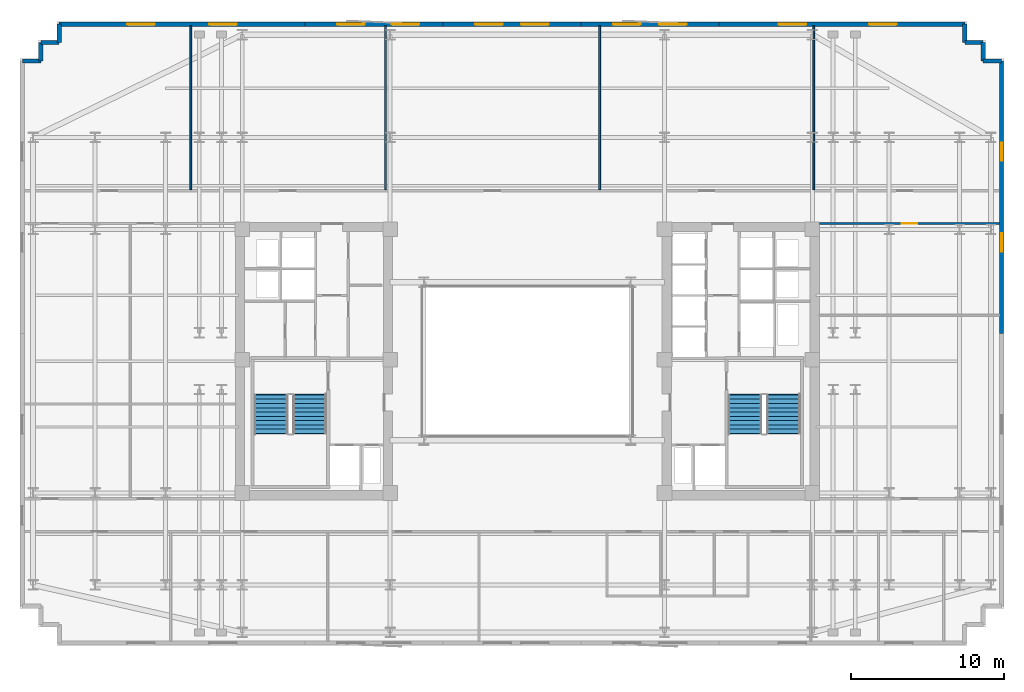
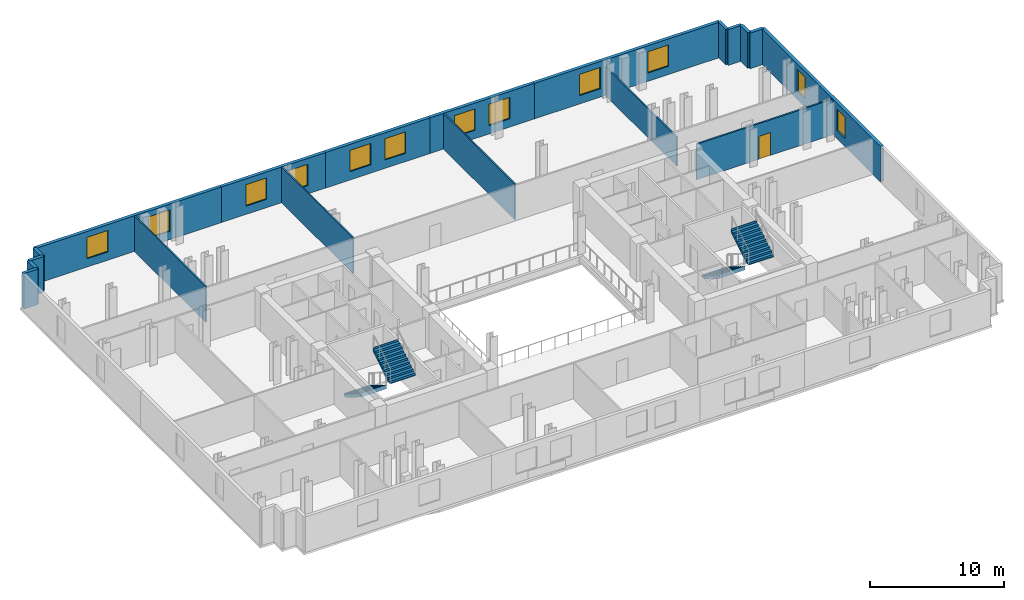
# One storey, part 7 of 9: 19 walls, 12 windows, 4 stair flights, 1 door, 13 openings, 2 elements without a shape of their own.
"""IFC4 building model written with IfcOpenShell, lengths in metres."""

from ifc_helpers import new_model, si_unit, direction, frame, frame_2d, origin, place, context, subcontext, project, spatial, polyline, rectangle, outline, extrude, material, layer, layer_set, type_object, element, fill, aggregate, save


model = new_model("IFC4")

# Units and contexts
model_context = context("Model", 3, precision=1e-05, world=origin(), true_north=direction((0.0, 1.0)))
body_context = subcontext(model_context, "Body", "Model", "MODEL_VIEW")
ifc_project = project(units=[si_unit("LENGTHUNIT", "METRE"), si_unit("AREAUNIT", "SQUARE_METRE"), si_unit("VOLUMEUNIT", "CUBIC_METRE"), si_unit("PLANEANGLEUNIT", "RADIAN"), si_unit("MASSUNIT", "GRAM", prefix="KILO")], contexts=[model_context])

# Site, building, storey
site_placement = place(None, origin())
site = spatial("IfcSite", under=ifc_project, at=site_placement, CompositionType="ELEMENT")
building_placement = place(site_placement, origin())
building = spatial("IfcBuilding", under=site, at=building_placement, Name="Velakula Bourse", CompositionType="ELEMENT")
storey_placement = place(building_placement, frame((0.0, 0.0, 131.199951171875)))
storey = spatial("IfcBuildingStorey", under=building, at=storey_placement, Name="L35", CompositionType="ELEMENT", Elevation=131.199951171875)

# Wall, openings, windows
ifc_material_1 = material(Name="Red kilned clay facing brick masonry", Category="masonry")
ifc_layer_1 = layer(ifc_material_1, 0.280029296875, Name="Red kilned clay facing brick masonry", Category="masonry")
ifc_layer_set_1 = layer_set([ifc_layer_1], Name="Red kilned clay facing brick masonry")
wall_type_1 = type_object("IfcWallType", Name="WL-EXT-BRK-280", PredefinedType="STANDARD", material=ifc_layer_set_1)
wall_1_placement = place(storey_placement, frame((-30.5400390625, 21.989990234375, 0.0), z_axis=(0.0, 0.0, 1.0), x_axis=(1.0, 0.0, 0.0)))
wall_1 = element("IfcWall", 1, at=wall_1_placement, inside=storey, type_object=wall_type_1, Name="L35 N Brick Spandrel Wall B1", PredefinedType="STANDARD", context=body_context, shape_type="SweptSolid", body=[
    extrude(rectangle(XDim=16.0400390625, YDim=0.280029296875, at=frame_2d((8.02001953125, 0.0))), origin(), (0.0, 0.0, 1.0), 3.25),
])
opening_1_placement = place(wall_1_placement, frame((4.44677734375, 0.0, 0.760009765625)))
opening_1 = element("IfcOpeningElement", 2, at=opening_1_placement, cuts=wall_1, Name="Opening W-01", PredefinedType="OPENING", context=body_context, shape_type="SweptSolid", body=[
    extrude(rectangle(XDim=1.800048828125, YDim=1.949951171875, at=frame_2d((0.89990234375, 0.97509765625))), frame((0.0, 0.14990234375, 0.0), z_axis=(0.0, -1.0, 0.0), x_axis=(1.0, 0.0, 0.0)), (0.0, 0.0, 1.0), 0.300048828125),
])
opening_2_placement = place(wall_1_placement, frame((9.793212890625, 0.0, 0.760009765625)))
opening_2 = element("IfcOpeningElement", 3, at=opening_2_placement, cuts=wall_1, Name="Opening W-01", PredefinedType="OPENING", context=body_context, shape_type="SweptSolid", body=[
    extrude(rectangle(XDim=1.800048828125, YDim=1.949951171875, at=frame_2d((0.89990234375, 0.97509765625))), frame((0.0, 0.14990234375, 0.0), z_axis=(0.0, -1.0, 0.0), x_axis=(1.0, 0.0, 0.0)), (0.0, 0.0, 1.0), 0.300048828125),
])
ifc_material_2 = material(Name="Double-glazed solar-control Low-E glass", Category="glass")
window_type_1 = type_object("IfcWindowType", Name="WIN-TWR-1800x2100", PartitioningType="SINGLE_PANEL", PredefinedType="WINDOW", material=ifc_material_2)
window_1_placement = place(opening_1_placement, origin())
window_1 = element("IfcWindow", 4, at=window_1_placement, inside=storey, type_object=window_type_1, Name="L35 Deep-Set Recessed Window 1", OverallHeight=1.949951171875, OverallWidth=1.800048828125, PartitioningType="SINGLE_PANEL", PredefinedType="WINDOW", context=body_context, shape_type="SweptSolid", body=[
    extrude(rectangle(XDim=1.800048828125, YDim=1.949951171875, at=frame_2d((0.89990234375, 0.97509765625))), frame((0.0, 0.030029296875, 0.0), z_axis=(0.0, -1.0, 0.0), x_axis=(1.0, 0.0, 0.0)), (0.0, 0.0, 1.0), 0.06005859375),
])
fill(opening_1, window_1)
window_2_placement = place(opening_2_placement, origin())
window_2 = element("IfcWindow", 5, at=window_2_placement, inside=storey, type_object=window_type_1, Name="L35 Deep-Set Recessed Window 2", OverallHeight=1.949951171875, OverallWidth=1.800048828125, PartitioningType="SINGLE_PANEL", PredefinedType="WINDOW", context=body_context, shape_type="SweptSolid", body=[
    extrude(rectangle(XDim=1.800048828125, YDim=1.949951171875, at=frame_2d((0.89990234375, 0.97509765625))), frame((0.0, 0.030029296875, 0.0), z_axis=(0.0, -1.0, 0.0), x_axis=(1.0, 0.0, 0.0)), (0.0, 0.0, 1.0), 0.06005859375),
])
fill(opening_2, window_2)

wall_2_placement = place(storey_placement, frame((-14.5, 21.989990234375, 0.0), z_axis=(0.0, 0.0, 1.0), x_axis=(1.0, 0.0, 0.0)))
wall_2 = element("IfcWall", 6, at=wall_2_placement, inside=storey, type_object=wall_type_1, Name="L35 N Brick Spandrel Wall B2", PredefinedType="STANDARD", context=body_context, shape_type="SweptSolid", body=[
    extrude(rectangle(XDim=9.0, YDim=0.280029296875, at=frame_2d((4.5, 0.0))), origin(), (0.0, 0.0, 1.0), 3.25),
])
opening_3_placement = place(wall_2_placement, frame((2.10009765625, 0.0, 0.760009765625)))
opening_3 = element("IfcOpeningElement", 7, at=opening_3_placement, cuts=wall_2, Name="Opening W-01", PredefinedType="OPENING", context=body_context, shape_type="SweptSolid", body=[
    extrude(rectangle(XDim=1.800048828125, YDim=1.949951171875, at=frame_2d((0.89990234375, 0.97509765625))), frame((0.0, 0.14990234375, 0.0), z_axis=(0.0, -1.0, 0.0), x_axis=(1.0, 0.0, 0.0)), (0.0, 0.0, 1.0), 0.300048828125),
])
opening_4_placement = place(wall_2_placement, frame((5.64990234375, 0.0, 0.760009765625)))
opening_4 = element("IfcOpeningElement", 8, at=opening_4_placement, cuts=wall_2, Name="Opening W-01", PredefinedType="OPENING", context=body_context, shape_type="SweptSolid", body=[
    extrude(rectangle(XDim=1.800048828125, YDim=1.949951171875, at=frame_2d((0.89990234375, 0.97509765625))), frame((0.0, 0.14990234375, 0.0), z_axis=(0.0, -1.0, 0.0), x_axis=(1.0, 0.0, 0.0)), (0.0, 0.0, 1.0), 0.300048828125),
])
window_3_placement = place(opening_3_placement, origin())
window_3 = element("IfcWindow", 9, at=window_3_placement, inside=storey, type_object=window_type_1, Name="L35 Deep-Set Recessed Window 1", OverallHeight=1.949951171875, OverallWidth=1.800048828125, PartitioningType="SINGLE_PANEL", PredefinedType="WINDOW", context=body_context, shape_type="SweptSolid", body=[
    extrude(rectangle(XDim=1.800048828125, YDim=1.949951171875, at=frame_2d((0.89990234375, 0.97509765625))), frame((0.0, 0.030029296875, 0.0), z_axis=(0.0, -1.0, 0.0), x_axis=(1.0, 0.0, 0.0)), (0.0, 0.0, 1.0), 0.06005859375),
])
fill(opening_3, window_3)
window_4_placement = place(opening_4_placement, origin())
window_4 = element("IfcWindow", 10, at=window_4_placement, inside=storey, type_object=window_type_1, Name="L35 Deep-Set Recessed Window 2", OverallHeight=1.949951171875, OverallWidth=1.800048828125, PartitioningType="SINGLE_PANEL", PredefinedType="WINDOW", context=body_context, shape_type="SweptSolid", body=[
    extrude(rectangle(XDim=1.800048828125, YDim=1.949951171875, at=frame_2d((0.89990234375, 0.97509765625))), frame((0.0, 0.030029296875, 0.0), z_axis=(0.0, -1.0, 0.0), x_axis=(1.0, 0.0, 0.0)), (0.0, 0.0, 1.0), 0.06005859375),
])
fill(opening_4, window_4)

wall_3_placement = place(storey_placement, frame((-5.5, 21.989990234375, 0.0), z_axis=(0.0, 0.0, 1.0), x_axis=(1.0, 0.0, 0.0)))
wall_3 = element("IfcWall", 11, at=wall_3_placement, inside=storey, type_object=wall_type_1, Name="L35 N Brick Spandrel Wall B3", PredefinedType="STANDARD", context=body_context, shape_type="SweptSolid", body=[
    extrude(rectangle(XDim=9.0, YDim=0.280029296875, at=frame_2d((4.5, 0.0))), origin(), (0.0, 0.0, 1.0), 3.25),
])
opening_5_placement = place(wall_3_placement, frame((2.10009765625, 0.0, 0.760009765625)))
opening_5 = element("IfcOpeningElement", 12, at=opening_5_placement, cuts=wall_3, Name="Opening W-01", PredefinedType="OPENING", context=body_context, shape_type="SweptSolid", body=[
    extrude(rectangle(XDim=1.800048828125, YDim=1.949951171875, at=frame_2d((0.89990234375, 0.97509765625))), frame((0.0, 0.14990234375, 0.0), z_axis=(0.0, -1.0, 0.0), x_axis=(1.0, 0.0, 0.0)), (0.0, 0.0, 1.0), 0.300048828125),
])
opening_6_placement = place(wall_3_placement, frame((5.10009765625, 0.0, 0.760009765625)))
opening_6 = element("IfcOpeningElement", 13, at=opening_6_placement, cuts=wall_3, Name="Opening W-01", PredefinedType="OPENING", context=body_context, shape_type="SweptSolid", body=[
    extrude(rectangle(XDim=1.800048828125, YDim=1.949951171875, at=frame_2d((0.89990234375, 0.97509765625))), frame((0.0, 0.14990234375, 0.0), z_axis=(0.0, -1.0, 0.0), x_axis=(1.0, 0.0, 0.0)), (0.0, 0.0, 1.0), 0.300048828125),
])
window_5_placement = place(opening_5_placement, origin())
window_5 = element("IfcWindow", 14, at=window_5_placement, inside=storey, type_object=window_type_1, Name="L35 Deep-Set Recessed Window 1", OverallHeight=1.949951171875, OverallWidth=1.800048828125, PartitioningType="SINGLE_PANEL", PredefinedType="WINDOW", context=body_context, shape_type="SweptSolid", body=[
    extrude(rectangle(XDim=1.800048828125, YDim=1.949951171875, at=frame_2d((0.89990234375, 0.97509765625))), frame((0.0, 0.030029296875, 0.0), z_axis=(0.0, -1.0, 0.0), x_axis=(1.0, 0.0, 0.0)), (0.0, 0.0, 1.0), 0.06005859375),
])
fill(opening_5, window_5)
window_6_placement = place(opening_6_placement, origin())
window_6 = element("IfcWindow", 15, at=window_6_placement, inside=storey, type_object=window_type_1, Name="L35 Deep-Set Recessed Window 2", OverallHeight=1.949951171875, OverallWidth=1.800048828125, PartitioningType="SINGLE_PANEL", PredefinedType="WINDOW", context=body_context, shape_type="SweptSolid", body=[
    extrude(rectangle(XDim=1.800048828125, YDim=1.949951171875, at=frame_2d((0.89990234375, 0.97509765625))), frame((0.0, 0.030029296875, 0.0), z_axis=(0.0, -1.0, 0.0), x_axis=(1.0, 0.0, 0.0)), (0.0, 0.0, 1.0), 0.06005859375),
])
fill(opening_6, window_6)

wall_4_placement = place(storey_placement, frame((3.5, 21.989990234375, 0.0), z_axis=(0.0, 0.0, 1.0), x_axis=(1.0, 0.0, 0.0)))
wall_4 = element("IfcWall", 16, at=wall_4_placement, inside=storey, type_object=wall_type_1, Name="L35 N Brick Spandrel Wall B4", PredefinedType="STANDARD", context=body_context, shape_type="SweptSolid", body=[
    extrude(rectangle(XDim=9.0, YDim=0.280029296875, at=frame_2d((4.5, 0.0))), origin(), (0.0, 0.0, 1.0), 3.25),
])
opening_7_placement = place(wall_4_placement, frame((2.10009765625, 0.0, 0.760009765625)))
opening_7 = element("IfcOpeningElement", 17, at=opening_7_placement, cuts=wall_4, Name="Opening W-01", PredefinedType="OPENING", context=body_context, shape_type="SweptSolid", body=[
    extrude(rectangle(XDim=1.800048828125, YDim=1.949951171875, at=frame_2d((0.89990234375, 0.97509765625))), frame((0.0, 0.14990234375, 0.0), z_axis=(0.0, -1.0, 0.0), x_axis=(1.0, 0.0, 0.0)), (0.0, 0.0, 1.0), 0.300048828125),
])
opening_8_placement = place(wall_4_placement, frame((5.10009765625, 0.0, 0.760009765625)))
opening_8 = element("IfcOpeningElement", 18, at=opening_8_placement, cuts=wall_4, Name="Opening W-01", PredefinedType="OPENING", context=body_context, shape_type="SweptSolid", body=[
    extrude(rectangle(XDim=1.800048828125, YDim=1.949951171875, at=frame_2d((0.89990234375, 0.97509765625))), frame((0.0, 0.14990234375, 0.0), z_axis=(0.0, -1.0, 0.0), x_axis=(1.0, 0.0, 0.0)), (0.0, 0.0, 1.0), 0.300048828125),
])
window_7_placement = place(opening_7_placement, origin())
window_7 = element("IfcWindow", 19, at=window_7_placement, inside=storey, type_object=window_type_1, Name="L35 Deep-Set Recessed Window 1", OverallHeight=1.949951171875, OverallWidth=1.800048828125, PartitioningType="SINGLE_PANEL", PredefinedType="WINDOW", context=body_context, shape_type="SweptSolid", body=[
    extrude(rectangle(XDim=1.800048828125, YDim=1.949951171875, at=frame_2d((0.89990234375, 0.97509765625))), frame((0.0, 0.030029296875, 0.0), z_axis=(0.0, -1.0, 0.0), x_axis=(1.0, 0.0, 0.0)), (0.0, 0.0, 1.0), 0.06005859375),
])
fill(opening_7, window_7)
window_8_placement = place(opening_8_placement, origin())
window_8 = element("IfcWindow", 20, at=window_8_placement, inside=storey, type_object=window_type_1, Name="L35 Deep-Set Recessed Window 2", OverallHeight=1.949951171875, OverallWidth=1.800048828125, PartitioningType="SINGLE_PANEL", PredefinedType="WINDOW", context=body_context, shape_type="SweptSolid", body=[
    extrude(rectangle(XDim=1.800048828125, YDim=1.949951171875, at=frame_2d((0.89990234375, 0.97509765625))), frame((0.0, 0.030029296875, 0.0), z_axis=(0.0, -1.0, 0.0), x_axis=(1.0, 0.0, 0.0)), (0.0, 0.0, 1.0), 0.06005859375),
])
fill(opening_8, window_8)

wall_5_placement = place(storey_placement, frame((12.5, 21.989990234375, 0.0), z_axis=(0.0, 0.0, 1.0), x_axis=(1.0, 0.0, 0.0)))
wall_5 = element("IfcWall", 21, at=wall_5_placement, inside=storey, type_object=wall_type_1, Name="L35 N Brick Spandrel Wall B5", PredefinedType="STANDARD", context=body_context, shape_type="SweptSolid", body=[
    extrude(rectangle(XDim=16.0400390625, YDim=0.280029296875, at=frame_2d((8.02001953125, 0.0))), origin(), (0.0, 0.0, 1.0), 3.25),
])
opening_9_placement = place(wall_5_placement, frame((3.896728515625, 0.0, 0.760009765625)))
opening_9 = element("IfcOpeningElement", 22, at=opening_9_placement, cuts=wall_5, Name="Opening W-01", PredefinedType="OPENING", context=body_context, shape_type="SweptSolid", body=[
    extrude(rectangle(XDim=1.800048828125, YDim=1.949951171875, at=frame_2d((0.89990234375, 0.97509765625))), frame((0.0, 0.14990234375, 0.0), z_axis=(0.0, -1.0, 0.0), x_axis=(1.0, 0.0, 0.0)), (0.0, 0.0, 1.0), 0.300048828125),
])
opening_10_placement = place(wall_5_placement, frame((9.793212890625, 0.0, 0.760009765625)))
opening_10 = element("IfcOpeningElement", 23, at=opening_10_placement, cuts=wall_5, Name="Opening W-01", PredefinedType="OPENING", context=body_context, shape_type="SweptSolid", body=[
    extrude(rectangle(XDim=1.800048828125, YDim=1.949951171875, at=frame_2d((0.89990234375, 0.97509765625))), frame((0.0, 0.14990234375, 0.0), z_axis=(0.0, -1.0, 0.0), x_axis=(1.0, 0.0, 0.0)), (0.0, 0.0, 1.0), 0.300048828125),
])
window_9_placement = place(opening_9_placement, origin())
window_9 = element("IfcWindow", 24, at=window_9_placement, inside=storey, type_object=window_type_1, Name="L35 Deep-Set Recessed Window 1", OverallHeight=1.949951171875, OverallWidth=1.800048828125, PartitioningType="SINGLE_PANEL", PredefinedType="WINDOW", context=body_context, shape_type="SweptSolid", body=[
    extrude(rectangle(XDim=1.800048828125, YDim=1.949951171875, at=frame_2d((0.89990234375, 0.97509765625))), frame((0.0, 0.030029296875, 0.0), z_axis=(0.0, -1.0, 0.0), x_axis=(1.0, 0.0, 0.0)), (0.0, 0.0, 1.0), 0.06005859375),
])
fill(opening_9, window_9)
window_10_placement = place(opening_10_placement, origin())
window_10 = element("IfcWindow", 25, at=window_10_placement, inside=storey, type_object=window_type_1, Name="L35 Deep-Set Recessed Window 2", OverallHeight=1.949951171875, OverallWidth=1.800048828125, PartitioningType="SINGLE_PANEL", PredefinedType="WINDOW", context=body_context, shape_type="SweptSolid", body=[
    extrude(rectangle(XDim=1.800048828125, YDim=1.949951171875, at=frame_2d((0.89990234375, 0.97509765625))), frame((0.0, 0.030029296875, 0.0), z_axis=(0.0, -1.0, 0.0), x_axis=(1.0, 0.0, 0.0)), (0.0, 0.0, 1.0), 0.06005859375),
])
fill(opening_10, window_10)

wall_6_placement = place(storey_placement, frame((30.93994140625, 19.590087890625, 0.0), z_axis=(0.0, 0.0, 1.0), x_axis=(0.0, -1.0, 0.0)))
wall_6 = element("IfcWall", 26, at=wall_6_placement, inside=storey, type_object=wall_type_1, Name="L35 E Brick End Wall W2", PredefinedType="STANDARD", context=body_context, shape_type="SweptSolid", body=[
    extrude(rectangle(XDim=17.7900390625, YDim=0.280029296875, at=frame_2d((8.89501953125, 0.0))), origin(), (0.0, 0.0, 1.0), 3.25),
])
opening_11_placement = place(wall_6_placement, frame((5.330078125, 0.0, 0.760009765625)))
opening_11 = element("IfcOpeningElement", 27, at=opening_11_placement, cuts=wall_6, Name="Opening W-04", PredefinedType="OPENING", context=body_context, shape_type="SweptSolid", body=[
    extrude(rectangle(XDim=1.199951171875, YDim=1.949951171875, at=frame_2d((0.60009765625, 0.97509765625))), frame((0.0, 0.14990234375, 0.0), z_axis=(0.0, -1.0, 0.0), x_axis=(1.0, 0.0, 0.0)), (0.0, 0.0, 1.0), 0.300048828125),
])
opening_12_placement = place(wall_6_placement, frame((11.260009765625, 0.0, 0.760009765625)))
opening_12 = element("IfcOpeningElement", 28, at=opening_12_placement, cuts=wall_6, Name="Opening W-04", PredefinedType="OPENING", context=body_context, shape_type="SweptSolid", body=[
    extrude(rectangle(XDim=1.199951171875, YDim=1.949951171875, at=frame_2d((0.60009765625, 0.97509765625))), frame((0.0, 0.14990234375, 0.0), z_axis=(0.0, -1.0, 0.0), x_axis=(1.0, 0.0, 0.0)), (0.0, 0.0, 1.0), 0.300048828125),
])
window_type_2 = type_object("IfcWindowType", Name="WIN-TWR-1200x2100", PartitioningType="SINGLE_PANEL", PredefinedType="WINDOW", material=ifc_material_2)
window_11_placement = place(opening_11_placement, origin())
window_11 = element("IfcWindow", 29, at=window_11_placement, inside=storey, type_object=window_type_2, Name="L35 Deep-Set Recessed Window 1", OverallHeight=1.949951171875, OverallWidth=1.199951171875, PartitioningType="SINGLE_PANEL", PredefinedType="WINDOW", context=body_context, shape_type="SweptSolid", body=[
    extrude(rectangle(XDim=1.199951171875, YDim=1.949951171875, at=frame_2d((0.60009765625, 0.97509765625))), frame((0.0, 0.030029296875, 0.0), z_axis=(0.0, -1.0, 0.0), x_axis=(1.0, 0.0, 0.0)), (0.0, 0.0, 1.0), 0.06005859375),
])
fill(opening_11, window_11)
window_12_placement = place(opening_12_placement, origin())
window_12 = element("IfcWindow", 30, at=window_12_placement, inside=storey, type_object=window_type_2, Name="L35 Deep-Set Recessed Window 2", OverallHeight=1.949951171875, OverallWidth=1.199951171875, PartitioningType="SINGLE_PANEL", PredefinedType="WINDOW", context=body_context, shape_type="SweptSolid", body=[
    extrude(rectangle(XDim=1.199951171875, YDim=1.949951171875, at=frame_2d((0.60009765625, 0.97509765625))), frame((0.0, 0.030029296875, 0.0), z_axis=(0.0, -1.0, 0.0), x_axis=(1.0, 0.0, 0.0)), (0.0, 0.0, 1.0), 0.06005859375),
])
fill(opening_12, window_12)

# Walls
for number, where, z_axis, x_axis, name in (
    (31, (30.93994140625, 19.590087890625, 0.0), (0.0, 0.0, 1.0), (-1.0, 0.0, 0.0), "L35 Serrated Corner Brick Wall NE-1"),
    (32, (29.739990234375, 19.590087890625, 0.0), (0.0, 0.0, 1.0), (0.0, 1.0, 0.0), "L35 Serrated Corner Brick Wall NE-2"),
    (33, (29.739990234375, 20.7900390625, 0.0), (0.0, 0.0, 1.0), (-1.0, 0.0, 0.0), "L35 Serrated Corner Brick Wall NE-3"),
    (34, (28.5400390625, 20.7900390625, 0.0), (0.0, 0.0, 1.0), (0.0, 1.0, 0.0), "L35 Serrated Corner Brick Wall NE-4"),
    (35, (-30.5400390625, 21.989990234375, 0.0), (0.0, 0.0, 1.0), (0.0, -1.0, 0.0), "L35 Serrated Corner Brick Wall NW-1"),
    (36, (-30.5400390625, 20.7900390625, 0.0), (0.0, 0.0, 1.0), (-1.0, 0.0, 0.0), "L35 Serrated Corner Brick Wall NW-2"),
    (37, (-31.739990234375, 20.7900390625, 0.0), (0.0, 0.0, 1.0), (0.0, -1.0, 0.0), "L35 Serrated Corner Brick Wall NW-3"),
    (38, (-31.739990234375, 19.590087890625, 0.0), (0.0, 0.0, 1.0), (-1.0, 0.0, 0.0), "L35 Serrated Corner Brick Wall NW-4"),
):
    element("IfcWall", number, at=place(storey_placement, frame(where, z_axis=z_axis, x_axis=x_axis)), inside=storey, type_object=wall_type_1, Name=name, PredefinedType="STANDARD", context=body_context, shape_type="SweptSolid", body=[
        extrude(rectangle(XDim=1.199951171875, YDim=0.280029296875, at=frame_2d((0.60009765625, 0.0))), origin(), (0.0, 0.0, 1.0), 3.25),
    ])
ifc_material_3 = material(Name="Fire-rated double-layer gypsum drywall partition", Category="gypsum")
ifc_layer_2 = layer(ifc_material_3, 0.1201171875, Name="Fire-rated double-layer gypsum drywall partition", Category="gypsum")
ifc_layer_set_2 = layer_set([ifc_layer_2], Name="Fire-rated double-layer gypsum drywall partition")
wall_type_2 = type_object("IfcWallType", Name="WL-PART-120", PredefinedType="STANDARD", material=ifc_layer_set_2)
for number, where, z_axis, x_axis, name in (
    (39, (-21.9619140625, 11.18994140625, 0.0), (0.0, 0.0, 1.0), (0.0, 1.0, 0.0), "L35 Interior Partition WL-INT-L35-N-D1"),
    (40, (-9.258056640625, 11.18994140625, 0.0), (0.0, 0.0, 1.0), (0.0, 1.0, 0.0), "L35 Interior Partition WL-INT-L35-N-D2"),
    (41, (4.717041015625, 11.18994140625, 0.0), (0.0, 0.0, 1.0), (0.0, 1.0, 0.0), "L35 Interior Partition WL-INT-L35-N-D3"),
):
    element("IfcWall", number, at=place(storey_placement, frame(where, z_axis=z_axis, x_axis=x_axis)), inside=storey, type_object=wall_type_2, Name=name, PredefinedType="STANDARD", context=body_context, shape_type="SweptSolid", body=[
        extrude(rectangle(XDim=10.68017578125, YDim=0.1201171875, at=frame_2d((5.340087890625, 0.0))), origin(), (0.0, 0.0, 1.0), 3.25),
    ])
wall_7_placement = place(storey_placement, frame((18.69091796875, 11.18994140625, 0.0), z_axis=(0.0, 0.0, 1.0), x_axis=(0.0, 1.0, 0.0)))
element("IfcWall", 42, at=wall_7_placement, inside=storey, type_object=wall_type_2, Name="L35 Interior Partition WL-INT-L35-N-D4", PredefinedType="STANDARD", context=body_context, shape_type="SweptSolid", body=[
    extrude(rectangle(XDim=10.68017578125, YDim=0.1201171875, at=frame_2d((5.340087890625, 0.0))), origin(), (0.0, 0.0, 1.0), 2.64501953125),
])

# Wall, opening, door
ifc_layer_3 = layer(ifc_material_3, 0.139892578125, Name="Fire-rated double-layer gypsum drywall partition", Category="gypsum")
ifc_layer_set_3 = layer_set([ifc_layer_3], Name="Fire-rated double-layer gypsum drywall partition")
wall_type_3 = type_object("IfcWallType", Name="WL-PART-140", PredefinedType="STANDARD", material=ifc_layer_set_3)
wall_8_placement = place(storey_placement, frame((19.050048828125, 8.97998046875, 0.0), z_axis=(0.0, 0.0, 1.0), x_axis=(1.0, 0.0, 0.0)))
wall_8 = element("IfcWall", 43, at=wall_8_placement, inside=storey, type_object=wall_type_3, Name="L35 Interior Partition WL-INT-L35-E-NC", PredefinedType="STANDARD", context=body_context, shape_type="SweptSolid", body=[
    extrude(rectangle(XDim=11.77001953125, YDim=0.139892578125, at=frame_2d((5.885009765625, 0.0))), origin(), (0.0, 0.0, 1.0), 3.25),
])
opening_13_placement = place(wall_8_placement, frame((5.385009765625, 0.0, 0.0)))
opening_13 = element("IfcOpeningElement", 44, at=opening_13_placement, cuts=wall_8, Name="Opening D-OF1", PredefinedType="OPENING", context=body_context, shape_type="SweptSolid", body=[
    extrude(rectangle(XDim=1.0, YDim=2.080078125, at=frame_2d((0.5, 1.0400390625))), frame((0.0, 0.079833984375, 0.0), z_axis=(0.0, -1.0, 0.0), x_axis=(1.0, 0.0, 0.0)), (0.0, 0.0, 1.0), 0.159912109375),
])
ifc_material_4 = material(Name="Fire-rated hardwood flush architectural door", Category="wood")
door_type = type_object("IfcDoorType", Name="DR-OFF-1000", OperationType="NOTDEFINED", PredefinedType="DOOR", material=ifc_material_4)
door_placement = place(opening_13_placement, origin())
door = element("IfcDoor", 45, at=door_placement, inside=storey, type_object=door_type, Name="L35 Issuer Relations Office Door", OperationType="SINGLE_SWING_LEFT", OverallHeight=2.080078125, OverallWidth=1.0, PredefinedType="DOOR", context=body_context, shape_type="SweptSolid", body=[
    extrude(rectangle(XDim=1.0, YDim=2.080078125, at=frame_2d((0.5, 1.0400390625))), frame((0.0, 0.02490234375, 0.0), z_axis=(0.0, -1.0, 0.0), x_axis=(1.0, 0.0, 0.0)), (0.0, 0.0, 1.0), 0.050048828125),
])
fill(opening_13, door)

# Stair, stair flights
ifc_material_5 = material(Name="Concrete M45 (fck 45 MPa)", Category="concrete")
stair_type = type_object("IfcStairType", Name="STR-DOG-390", PredefinedType="HALF_TURN_STAIR", material=ifc_material_5)
stair_1_placement = place(storey_placement, origin())
stair_1 = element("IfcStair", 46, at=stair_1_placement, inside=storey, type_object=stair_type, Name="L35 West Core Exit Stair ST-W1", PredefinedType="HALF_TURN_STAIR")
ifc_layer_4 = layer(ifc_material_5, 0.195068359375, Name="Concrete M45 (fck 45 MPa)", Category="concrete")
ifc_layer_set_4 = layer_set([ifc_layer_4], Name="Concrete M45 (fck 45 MPa)")
stair_flight_type = type_object("IfcStairFlightType", Name="FLT-DOG-390", PredefinedType="STRAIGHT", material=ifc_layer_set_4)
stair_flight_1_placement = place(storey_placement, frame((-16.720947265625, -2.199951171875, 0.0), z_axis=(0.0, 0.0, 1.0), x_axis=(0.0, -1.0, 0.0)))
stair_flight_1 = element("IfcStairFlight", 47, at=stair_flight_1_placement, type_object=stair_flight_type, Name="ST-W1 flight 1", NumberOfRisers=10, NumberOfTreads=9, PredefinedType="STRAIGHT", RiserHeight=0.1725, TreadLength=0.28, context=body_context, shape_type="SweptSolid", body=[
    extrude(outline(polyline([(-0.044921875, -0.0400390625), (-0.044921875, -0.036865234375), (-0.044921875, -0.033935546875), (-0.044921875, -0.03076171875), (-0.044921875, -0.027587890625), (-0.044921875, -0.024658203125), (-0.044921875, -0.021484375), (-0.044921875, -0.0185546875), (-0.044921875, -0.015380859375), (-0.044921875, -0.01220703125), (-0.044921875, -0.00927734375), (-0.044921875, -0.006103515625), (-0.044921875, -0.003173828125), (-0.044921875, 0.0), (0.0, 0.0), (0.0, 0.172607421875), (0.280029296875, 0.172607421875), (0.280029296875, 0.344970703125), (0.56005859375, 0.344970703125), (0.56005859375, 0.517578125), (0.840087890625, 0.517578125), (0.840087890625, 0.68994140625), (1.1201171875, 0.68994140625), (1.1201171875, 0.862548828125), (1.39990234375, 0.862548828125), (1.39990234375, 1.034912109375), (1.679931640625, 1.034912109375), (1.679931640625, 1.20751953125), (1.9599609375, 1.20751953125), (1.9599609375, 1.3798828125), (2.239990234375, 1.3798828125), (2.239990234375, 1.552490234375), (2.52001953125, 1.552490234375), (2.52001953125, 1.72509765625), (2.56494140625, 1.72509765625), (2.56494140625, 1.7001953125), (2.56494140625, 1.67529296875), (2.56494140625, 1.650390625), (2.56494140625, 1.62548828125), (2.56494140625, 1.6005859375), (2.56494140625, 1.57568359375), (2.56494140625, 1.55078125), (2.56494140625, 1.52587890625), (2.56494140625, 1.5009765625), (2.56494140625, 1.47607421875), (2.56494140625, 1.451171875), (2.56494140625, 1.42626953125), (2.56494140625, 1.4013671875), (2.56494140625, 1.37646484375), (0.285888671875, -0.0400390625), (-0.044921875, -0.0400390625)])), frame((0.0, 1.09912109375, 0.0), z_axis=(0.0, -1.0, 0.0), x_axis=(1.0, 0.0, 0.0)), (0.0, 0.0, 1.0), 2.197998046875),
])
stair_flight_2_placement = place(storey_placement, frame((-14.198974609375, -4.719970703125, 1.72509765625), z_axis=(0.0, 0.0, 1.0), x_axis=(0.0, 1.0, 0.0)))
stair_flight_2 = element("IfcStairFlight", 48, at=stair_flight_2_placement, type_object=stair_flight_type, Name="ST-W1 flight 2", NumberOfRisers=10, NumberOfTreads=9, PredefinedType="STRAIGHT", RiserHeight=0.1725, TreadLength=0.28, context=body_context, shape_type="SweptSolid", body=[
    extrude(outline(polyline([(-0.044921875, -0.0400390625), (-0.044921875, -0.036865234375), (-0.044921875, -0.033935546875), (-0.044921875, -0.03076171875), (-0.044921875, -0.027587890625), (-0.044921875, -0.024658203125), (-0.044921875, -0.021484375), (-0.044921875, -0.0185546875), (-0.044921875, -0.015380859375), (-0.044921875, -0.01220703125), (-0.044921875, -0.00927734375), (-0.044921875, -0.006103515625), (-0.044921875, -0.003173828125), (-0.044921875, 0.0), (0.0, 0.0), (0.0, 0.172607421875), (0.280029296875, 0.172607421875), (0.280029296875, 0.344970703125), (0.56005859375, 0.344970703125), (0.56005859375, 0.517578125), (0.840087890625, 0.517578125), (0.840087890625, 0.68994140625), (1.1201171875, 0.68994140625), (1.1201171875, 0.862548828125), (1.39990234375, 0.862548828125), (1.39990234375, 1.034912109375), (1.679931640625, 1.034912109375), (1.679931640625, 1.20751953125), (1.9599609375, 1.20751953125), (1.9599609375, 1.3798828125), (2.239990234375, 1.3798828125), (2.239990234375, 1.552490234375), (2.52001953125, 1.552490234375), (2.52001953125, 1.72509765625), (2.56494140625, 1.72509765625), (2.56494140625, 1.7001953125), (2.56494140625, 1.67529296875), (2.56494140625, 1.650390625), (2.56494140625, 1.62548828125), (2.56494140625, 1.6005859375), (2.56494140625, 1.57568359375), (2.56494140625, 1.55078125), (2.56494140625, 1.52587890625), (2.56494140625, 1.5009765625), (2.56494140625, 1.47607421875), (2.56494140625, 1.451171875), (2.56494140625, 1.42626953125), (2.56494140625, 1.4013671875), (2.56494140625, 1.37646484375), (0.285888671875, -0.0400390625), (-0.044921875, -0.0400390625)])), frame((0.0, 1.09912109375, 0.0), z_axis=(0.0, -1.0, 0.0), x_axis=(1.0, 0.0, 0.0)), (0.0, 0.0, 1.0), 2.197998046875),
])
aggregate(stair_1, [stair_flight_1, stair_flight_2])

stair_2_placement = place(storey_placement, origin())
stair_2 = element("IfcStair", 49, at=stair_2_placement, inside=storey, type_object=stair_type, Name="L35 East Core Exit Stair ST-E1", PredefinedType="HALF_TURN_STAIR")
stair_flight_3_placement = place(storey_placement, frame((14.198974609375, -2.199951171875, 0.0), z_axis=(0.0, 0.0, 1.0), x_axis=(0.0, -1.0, 0.0)))
stair_flight_3 = element("IfcStairFlight", 50, at=stair_flight_3_placement, type_object=stair_flight_type, Name="ST-E1 flight 1", NumberOfRisers=10, NumberOfTreads=9, PredefinedType="STRAIGHT", RiserHeight=0.1725, TreadLength=0.28, context=body_context, shape_type="SweptSolid", body=[
    extrude(outline(polyline([(-0.044921875, -0.0400390625), (-0.044921875, -0.036865234375), (-0.044921875, -0.033935546875), (-0.044921875, -0.03076171875), (-0.044921875, -0.027587890625), (-0.044921875, -0.024658203125), (-0.044921875, -0.021484375), (-0.044921875, -0.0185546875), (-0.044921875, -0.015380859375), (-0.044921875, -0.01220703125), (-0.044921875, -0.00927734375), (-0.044921875, -0.006103515625), (-0.044921875, -0.003173828125), (-0.044921875, 0.0), (0.0, 0.0), (0.0, 0.172607421875), (0.280029296875, 0.172607421875), (0.280029296875, 0.344970703125), (0.56005859375, 0.344970703125), (0.56005859375, 0.517578125), (0.840087890625, 0.517578125), (0.840087890625, 0.68994140625), (1.1201171875, 0.68994140625), (1.1201171875, 0.862548828125), (1.39990234375, 0.862548828125), (1.39990234375, 1.034912109375), (1.679931640625, 1.034912109375), (1.679931640625, 1.20751953125), (1.9599609375, 1.20751953125), (1.9599609375, 1.3798828125), (2.239990234375, 1.3798828125), (2.239990234375, 1.552490234375), (2.52001953125, 1.552490234375), (2.52001953125, 1.72509765625), (2.56494140625, 1.72509765625), (2.56494140625, 1.7001953125), (2.56494140625, 1.67529296875), (2.56494140625, 1.650390625), (2.56494140625, 1.62548828125), (2.56494140625, 1.6005859375), (2.56494140625, 1.57568359375), (2.56494140625, 1.55078125), (2.56494140625, 1.52587890625), (2.56494140625, 1.5009765625), (2.56494140625, 1.47607421875), (2.56494140625, 1.451171875), (2.56494140625, 1.42626953125), (2.56494140625, 1.4013671875), (2.56494140625, 1.37646484375), (0.285888671875, -0.0400390625), (-0.044921875, -0.0400390625)])), frame((0.0, 1.09912109375, 0.0), z_axis=(0.0, -1.0, 0.0), x_axis=(1.0, 0.0, 0.0)), (0.0, 0.0, 1.0), 2.197998046875),
])
stair_flight_4_placement = place(storey_placement, frame((16.720947265625, -4.719970703125, 1.72509765625), z_axis=(0.0, 0.0, 1.0), x_axis=(0.0, 1.0, 0.0)))
stair_flight_4 = element("IfcStairFlight", 51, at=stair_flight_4_placement, type_object=stair_flight_type, Name="ST-E1 flight 2", NumberOfRisers=10, NumberOfTreads=9, PredefinedType="STRAIGHT", RiserHeight=0.1725, TreadLength=0.28, context=body_context, shape_type="SweptSolid", body=[
    extrude(outline(polyline([(-0.044921875, -0.0400390625), (-0.044921875, -0.036865234375), (-0.044921875, -0.033935546875), (-0.044921875, -0.03076171875), (-0.044921875, -0.027587890625), (-0.044921875, -0.024658203125), (-0.044921875, -0.021484375), (-0.044921875, -0.0185546875), (-0.044921875, -0.015380859375), (-0.044921875, -0.01220703125), (-0.044921875, -0.00927734375), (-0.044921875, -0.006103515625), (-0.044921875, -0.003173828125), (-0.044921875, 0.0), (0.0, 0.0), (0.0, 0.172607421875), (0.280029296875, 0.172607421875), (0.280029296875, 0.344970703125), (0.56005859375, 0.344970703125), (0.56005859375, 0.517578125), (0.840087890625, 0.517578125), (0.840087890625, 0.68994140625), (1.1201171875, 0.68994140625), (1.1201171875, 0.862548828125), (1.39990234375, 0.862548828125), (1.39990234375, 1.034912109375), (1.679931640625, 1.034912109375), (1.679931640625, 1.20751953125), (1.9599609375, 1.20751953125), (1.9599609375, 1.3798828125), (2.239990234375, 1.3798828125), (2.239990234375, 1.552490234375), (2.52001953125, 1.552490234375), (2.52001953125, 1.72509765625), (2.56494140625, 1.72509765625), (2.56494140625, 1.7001953125), (2.56494140625, 1.67529296875), (2.56494140625, 1.650390625), (2.56494140625, 1.62548828125), (2.56494140625, 1.6005859375), (2.56494140625, 1.57568359375), (2.56494140625, 1.55078125), (2.56494140625, 1.52587890625), (2.56494140625, 1.5009765625), (2.56494140625, 1.47607421875), (2.56494140625, 1.451171875), (2.56494140625, 1.42626953125), (2.56494140625, 1.4013671875), (2.56494140625, 1.37646484375), (0.285888671875, -0.0400390625), (-0.044921875, -0.0400390625)])), frame((0.0, 1.09912109375, 0.0), z_axis=(0.0, -1.0, 0.0), x_axis=(1.0, 0.0, 0.0)), (0.0, 0.0, 1.0), 2.197998046875),
])
aggregate(stair_2, [stair_flight_3, stair_flight_4])

save(model, "model.ifc")
